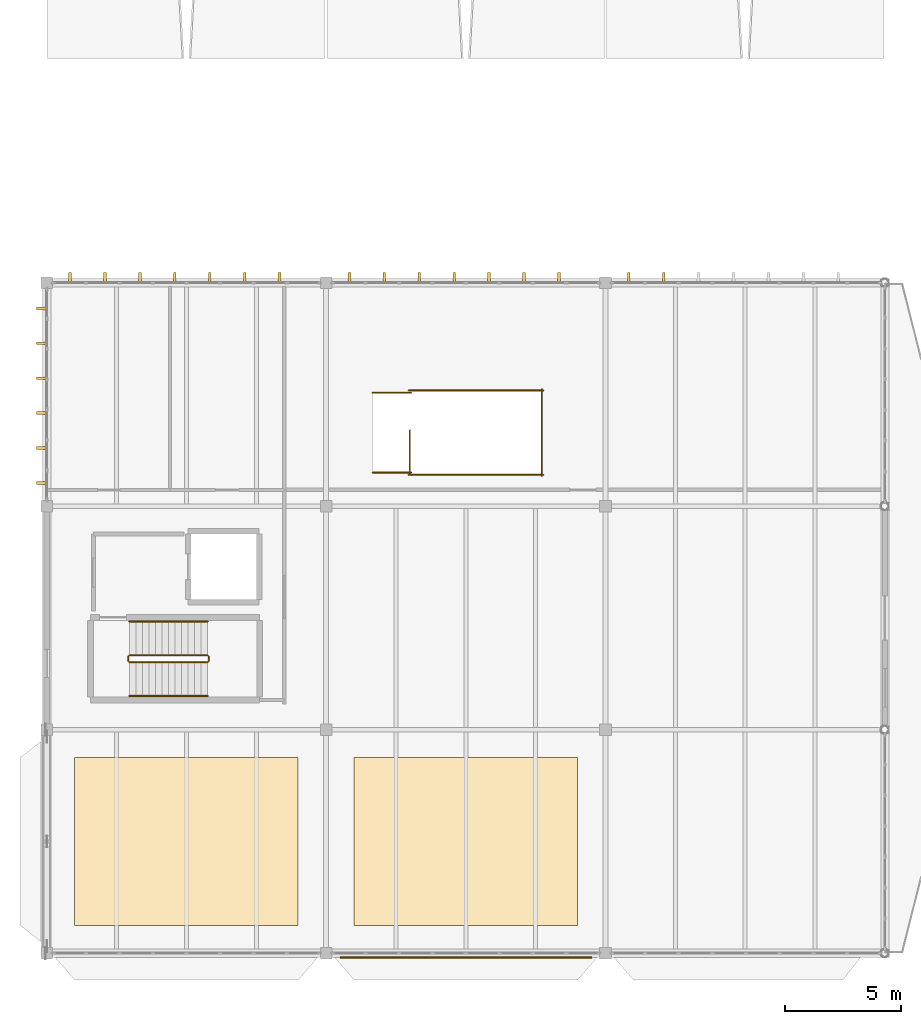
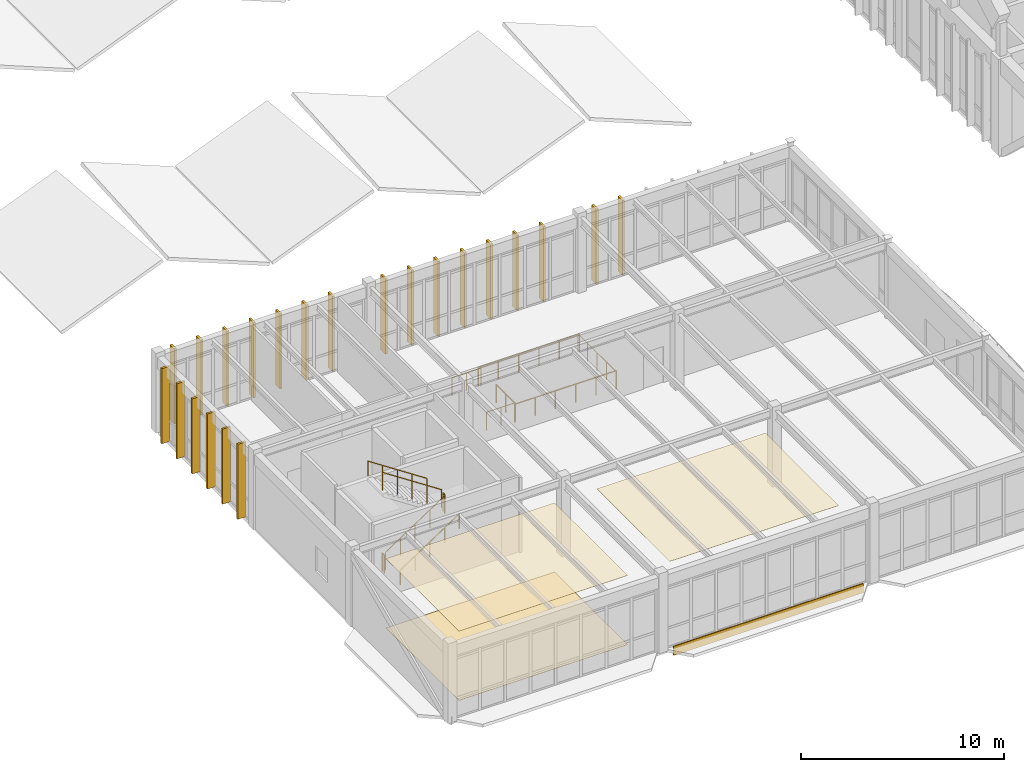
# One storey, part 225 of 236: 22 shading devices, 12 railings, 4 coverings.
"""IFC4 building model written with IfcOpenShell, lengths in metres."""

from ifc_helpers import new_model, si_unit, direction, frame, origin, origin_2d, place, context, subcontext, project, spatial, polyline, rectangle, circle, outline, extrude, material, layer, layer_set, type_object, element, save


model = new_model("IFC4")

# Units and contexts
model_context = context("Model", 3, precision=1e-05, world=origin(), true_north=direction((0.0, 1.0)))
body_context = subcontext(model_context, "Body", "Model", "MODEL_VIEW")
ifc_project = project(units=[si_unit("LENGTHUNIT", "METRE"), si_unit("AREAUNIT", "SQUARE_METRE"), si_unit("VOLUMEUNIT", "CUBIC_METRE"), si_unit("PLANEANGLEUNIT", "RADIAN"), si_unit("MASSUNIT", "GRAM", prefix="KILO")], contexts=[model_context])

# Site, building, storey
site_placement = place(None, origin())
site = spatial("IfcSite", under=ifc_project, at=site_placement, CompositionType="ELEMENT")
building_placement = place(site_placement, origin())
building = spatial("IfcBuilding", under=site, at=building_placement, Name="Pandanus Reach Market Hall", CompositionType="ELEMENT")
storey_placement = place(building_placement, frame((0.0, 0.0, 5.39990234375)))
storey = spatial("IfcBuildingStorey", under=building, at=storey_placement, Name="L01", CompositionType="ELEMENT", Elevation=5.39990234375)

# Coverings
ifc_material_1 = material(Name="Precast concrete S50 (50 MPa)", Category="concrete")
ifc_layer_1 = layer(ifc_material_1, 0.06005859375, Name="CLD-S50-60")
ifc_layer_set_1 = layer_set([ifc_layer_1], Name="Precast concrete S50 (50 MPa)")
covering_type_1 = type_object("IfcCoveringType", Name="CLD-S50-60", PredefinedType="CLADDING", material=ifc_layer_set_1)
covering_1_placement = place(storey_placement, frame((18.0, -0.179931640625, -0.4248046875), z_axis=(0.0, 0.0, 1.0), x_axis=(1.0, 0.0, 0.0)))
element("IfcCovering", 1, at=covering_1_placement, inside=storey, type_object=covering_type_1, Name="Precast spandrel cladding panel 7", PredefinedType="CLADDING", context=body_context, shape_type="SweptSolid", body=[
    extrude(rectangle(XDim=10.800048828125, YDim=0.06005859375, at=origin_2d()), origin(), (0.0, 0.0, 1.0), 0.550048828125),
])
ifc_material_2 = material(Name="Perforated acoustic gypsum board", Category="gypsum")
ifc_layer_2 = layer(ifc_material_2, 0.02001953125, Name="CLG-ACT-20")
ifc_layer_set_2 = layer_set([ifc_layer_2], Name="Perforated acoustic gypsum board")
covering_type_2 = type_object("IfcCoveringType", Name="CLG-ACT-20", PredefinedType="CEILING", material=ifc_layer_set_2)
covering_2_placement = place(storey_placement, frame((0.0, 0.0, 4.15966796875)))
element("IfcCovering", 2, at=covering_2_placement, inside=storey, type_object=covering_type_2, Name="Perforated acoustic ceiling L01.3", PredefinedType="CEILING", context=body_context, shape_type="SweptSolid", body=[
    extrude(outline(polyline([(1.199951171875, 1.199951171875), (10.800048828125, 1.199951171875), (10.800048828125, 8.39990234375), (1.199951171875, 8.39990234375), (1.199951171875, 1.199951171875)])), origin(), (0.0, 0.0, 1.0), 0.02001953125),
])
covering_3_placement = place(storey_placement, frame((0.0, 0.0, 4.15966796875)))
element("IfcCovering", 3, at=covering_3_placement, inside=storey, type_object=covering_type_2, Name="Perforated acoustic ceiling L01.4", PredefinedType="CEILING", context=body_context, shape_type="SweptSolid", body=[
    extrude(outline(polyline([(13.199951171875, 1.199951171875), (22.800048828125, 1.199951171875), (22.800048828125, 8.39990234375), (13.199951171875, 8.39990234375), (13.199951171875, 1.199951171875)])), origin(), (0.0, 0.0, 1.0), 0.02001953125),
])
ifc_material_3 = material(Name="Washable coved epoxy terrazzo flooring")
ifc_layer_3 = layer(ifc_material_3, 0.014892578125, Name="FLR-EPX-15")
ifc_layer_set_3 = layer_set([ifc_layer_3], Name="Washable coved epoxy terrazzo flooring")
covering_type_3 = type_object("IfcCoveringType", Name="FLR-EPX-15", PredefinedType="FLOORING", material=ifc_layer_set_3)
covering_4_placement = place(storey_placement, origin())
element("IfcCovering", 4, at=covering_4_placement, inside=storey, type_object=covering_type_3, Name="Washable epoxy terrazzo flooring L01.5", PredefinedType="FLOORING", context=body_context, shape_type="SweptSolid", body=[
    extrude(outline(polyline([(1.199951171875, 1.199951171875), (10.800048828125, 1.199951171875), (10.800048828125, 8.39990234375), (1.199951171875, 8.39990234375), (1.199951171875, 1.199951171875)])), origin(), (0.0, 0.0, 1.0), 0.01513671875),
])

# Shading devices
shading_device_type = type_object("IfcShadingDeviceType", Name="FN-S50-450", PredefinedType="JALOUSIE", material=ifc_material_1)
for number, where, z_axis, x_axis, name in (
    (5, (1.0, 29.02001953125, -0.010009765625), (0.0, 0.0, 1.0), (0.0, 1.0, 0.0), "Precast brise-soleil fin 214"),
    (6, (2.5, 29.02001953125, -0.010009765625), (0.0, 0.0, 1.0), (0.0, 1.0, 0.0), "Precast brise-soleil fin 215"),
    (7, (4.0, 29.02001953125, -0.010009765625), (0.0, 0.0, 1.0), (0.0, 1.0, 0.0), "Precast brise-soleil fin 216"),
    (8, (5.5, 29.02001953125, -0.010009765625), (0.0, 0.0, 1.0), (0.0, 1.0, 0.0), "Precast brise-soleil fin 217"),
    (9, (7.0, 29.02001953125, -0.010009765625), (0.0, 0.0, 1.0), (0.0, 1.0, 0.0), "Precast brise-soleil fin 218"),
    (10, (8.5, 29.02001953125, -0.010009765625), (0.0, 0.0, 1.0), (0.0, 1.0, 0.0), "Precast brise-soleil fin 219"),
    (11, (10.0, 29.02001953125, -0.010009765625), (0.0, 0.0, 1.0), (0.0, 1.0, 0.0), "Precast brise-soleil fin 220"),
    (12, (13.0, 29.02001953125, -0.010009765625), (0.0, 0.0, 1.0), (0.0, 1.0, 0.0), "Precast brise-soleil fin 221"),
    (13, (14.5, 29.02001953125, -0.010009765625), (0.0, 0.0, 1.0), (0.0, 1.0, 0.0), "Precast brise-soleil fin 222"),
    (14, (16.0, 29.02001953125, -0.010009765625), (0.0, 0.0, 1.0), (0.0, 1.0, 0.0), "Precast brise-soleil fin 223"),
    (15, (17.5, 29.02001953125, -0.010009765625), (0.0, 0.0, 1.0), (0.0, 1.0, 0.0), "Precast brise-soleil fin 224"),
    (16, (19.0, 29.02001953125, -0.010009765625), (0.0, 0.0, 1.0), (0.0, 1.0, 0.0), "Precast brise-soleil fin 225"),
    (17, (20.5, 29.02001953125, -0.010009765625), (0.0, 0.0, 1.0), (0.0, 1.0, 0.0), "Precast brise-soleil fin 226"),
    (18, (22.0, 29.02001953125, -0.010009765625), (0.0, 0.0, 1.0), (0.0, 1.0, 0.0), "Precast brise-soleil fin 227"),
    (19, (25.0, 29.02001953125, -0.010009765625), (0.0, 0.0, 1.0), (0.0, 1.0, 0.0), "Precast brise-soleil fin 228"),
    (20, (26.5, 29.02001953125, -0.010009765625), (0.0, 0.0, 1.0), (0.0, 1.0, 0.0), "Precast brise-soleil fin 229"),
    (21, (-0.219970703125, 20.199951171875, -0.010009765625), (0.0, 0.0, 1.0), (-1.0, 0.0, 0.0), "Precast brise-soleil fin 235"),
    (22, (-0.219970703125, 21.699951171875, -0.010009765625), (0.0, 0.0, 1.0), (-1.0, 0.0, 0.0), "Precast brise-soleil fin 236"),
    (23, (-0.219970703125, 23.199951171875, -0.010009765625), (0.0, 0.0, 1.0), (-1.0, 0.0, 0.0), "Precast brise-soleil fin 237"),
    (24, (-0.219970703125, 24.699951171875, -0.010009765625), (0.0, 0.0, 1.0), (-1.0, 0.0, 0.0), "Precast brise-soleil fin 238"),
    (25, (-0.219970703125, 26.199951171875, -0.010009765625), (0.0, 0.0, 1.0), (-1.0, 0.0, 0.0), "Precast brise-soleil fin 239"),
    (26, (-0.219970703125, 27.699951171875, -0.010009765625), (0.0, 0.0, 1.0), (-1.0, 0.0, 0.0), "Precast brise-soleil fin 240"),
):
    element("IfcShadingDevice", number, at=place(storey_placement, frame(where, z_axis=z_axis, x_axis=x_axis)), inside=storey, type_object=shading_device_type, Name=name, PredefinedType="JALOUSIE", context=body_context, shape_type="SweptSolid", body=[
        extrude(rectangle(XDim=0.449951171875, YDim=0.1201171875, at=origin_2d()), origin(), (0.0, 0.0, 1.0), 4.52001953125),
    ])

# Railings
ifc_material_4 = material(Name="Galvanised steel Grade 350 (350 MPa)", Category="steel")
railing_type_1 = type_object("IfcRailingType", Name="GR-INT-110", PredefinedType="GUARDRAIL", material=ifc_material_4)
railing_1_placement = place(storey_placement, frame((3.550048828125, 12.5, 0.184814453125)))
element("IfcRailing", 27, at=railing_1_placement, inside=storey, type_object=railing_type_1, Name="Stair guard ST-04 L01.100", PredefinedType="GUARDRAIL", context=body_context, shape_type="SweptSolid", body=[
    extrude(circle(Radius=0.02392578125, at=origin_2d()), frame((0.0, 0.0, 1.076171875), z_axis=(0.834858096282, 0.0, 0.550465220583), x_axis=(0.0, 1.0, 0.0)), (0.0, 0.0, 1.0), 4.0244140625),
    extrude(circle(Radius=0.02099609375, at=origin_2d()), origin(), (0.0, 0.0, 1.0), 1.052001953125),
    extrude(circle(Radius=0.02099609375, at=origin_2d()), frame((0.83984375, 0.0, 0.5537109375)), (0.0, 0.0, 1.0), 1.052001953125),
    extrude(circle(Radius=0.02099609375, at=origin_2d()), frame((1.679931640625, 0.0, 1.107666015625)), (0.0, 0.0, 1.0), 1.052001953125),
    extrude(circle(Radius=0.02099609375, at=origin_2d()), frame((2.52001953125, 0.0, 1.66162109375)), (0.0, 0.0, 1.0), 1.052001953125),
    extrude(circle(Radius=0.02099609375, at=origin_2d()), frame((3.35986328125, 0.0, 2.21533203125)), (0.0, 0.0, 1.0), 1.052001953125),
])
railing_2_placement = place(storey_placement, frame((6.9599609375, 12.550048828125, 2.400146484375)))
element("IfcRailing", 28, at=railing_2_placement, inside=storey, type_object=railing_type_1, Name="Stair guard ST-04 L01.101", PredefinedType="GUARDRAIL", context=body_context, shape_type="SweptSolid", body=[
    extrude(circle(Radius=0.02392578125, at=origin_2d()), frame((0.0, 0.0, 1.076171875), z_axis=(0.0, 1.0, 0.0), x_axis=(-1.0, 0.0, 0.0)), (0.0, 0.0, 1.0), 0.199951171875),
    extrude(circle(Radius=0.02099609375, at=origin_2d()), origin(), (0.0, 0.0, 1.0), 1.052001953125),
    extrude(circle(Radius=0.02099609375, at=origin_2d()), frame((0.0, 0.199951171875, 0.0)), (0.0, 0.0, 1.0), 1.052001953125),
])
railing_3_placement = place(storey_placement, frame((6.909912109375, 12.800048828125, 2.584716796875)))
element("IfcRailing", 29, at=railing_3_placement, inside=storey, type_object=railing_type_1, Name="Stair guard ST-04 L01.102", PredefinedType="GUARDRAIL", context=body_context, shape_type="SweptSolid", body=[
    extrude(circle(Radius=0.02392578125, at=origin_2d()), frame((0.0, 0.0, 1.076171875), z_axis=(-0.834858096282, 0.0, 0.550465220583), x_axis=(0.0, -1.0, 0.0)), (0.0, 0.0, 1.0), 4.0244140625),
    extrude(circle(Radius=0.02099609375, at=origin_2d()), origin(), (0.0, 0.0, 1.0), 1.052001953125),
    extrude(circle(Radius=0.02099609375, at=origin_2d()), frame((-0.83984375, 0.0, 0.5537109375)), (0.0, 0.0, 1.0), 1.052001953125),
    extrude(circle(Radius=0.02099609375, at=origin_2d()), frame((-1.679931640625, 0.0, 1.107666015625)), (0.0, 0.0, 1.0), 1.052001953125),
    extrude(circle(Radius=0.02099609375, at=origin_2d()), frame((-2.52001953125, 0.0, 1.66162109375)), (0.0, 0.0, 1.0), 1.052001953125),
    extrude(circle(Radius=0.02099609375, at=origin_2d()), frame((-3.35986328125, 0.0, 2.21533203125)), (0.0, 0.0, 1.0), 1.052001953125),
])
railing_4_placement = place(storey_placement, frame((3.5, 12.550048828125, 0.0)))
element("IfcRailing", 30, at=railing_4_placement, inside=storey, type_object=railing_type_1, Name="Stair guard ST-04 L01.103", PredefinedType="GUARDRAIL", context=body_context, shape_type="SweptSolid", body=[
    extrude(circle(Radius=0.02392578125, at=origin_2d()), frame((0.0, 0.0, 1.076171875), z_axis=(0.0, 1.0, 0.0), x_axis=(-1.0, 0.0, 0.0)), (0.0, 0.0, 1.0), 0.199951171875),
    extrude(circle(Radius=0.02099609375, at=origin_2d()), origin(), (0.0, 0.0, 1.0), 1.052001953125),
    extrude(circle(Radius=0.02099609375, at=origin_2d()), frame((0.0, 0.199951171875, 0.0)), (0.0, 0.0, 1.0), 1.052001953125),
])
railing_5_placement = place(storey_placement, frame((15.60009765625, 20.60009765625, 0.0)))
element("IfcRailing", 31, at=railing_5_placement, inside=storey, type_object=railing_type_1, Name="Stair well top guard ST-10.175", PredefinedType="GUARDRAIL", context=body_context, shape_type="SweptSolid", body=[
    extrude(circle(Radius=0.02392578125, at=origin_2d()), frame((0.0, 0.0, 1.076171875), z_axis=(0.0, 1.0, 0.0), x_axis=(-1.0, 0.0, 0.0)), (0.0, 0.0, 1.0), 1.869873046875),
    extrude(circle(Radius=0.02099609375, at=origin_2d()), origin(), (0.0, 0.0, 1.0), 1.052001953125),
    extrude(circle(Radius=0.02099609375, at=origin_2d()), frame((0.0, 0.93505859375, 0.0)), (0.0, 0.0, 1.0), 1.052001953125),
    extrude(circle(Radius=0.02099609375, at=origin_2d()), frame((0.0, 1.869873046875, 0.0)), (0.0, 0.0, 1.0), 1.052001953125),
])
for number, where, name in (
    (32, (15.550048828125, 20.550048828125, 0.0), "Stair well top guard ST-10.176"),
    (33, (15.550048828125, 24.169921875, 0.0), "Stair well top guard ST-10.177"),
):
    element("IfcRailing", number, at=place(storey_placement, frame(where)), inside=storey, type_object=railing_type_1, Name=name, PredefinedType="GUARDRAIL", context=body_context, shape_type="SweptSolid", body=[
        extrude(circle(Radius=0.02392578125, at=origin_2d()), frame((0.0, 0.0, 1.076171875), z_axis=(1.0, 0.0, 0.0), x_axis=(0.0, 1.0, 0.0)), (0.0, 0.0, 1.0), 5.77001953125),
        extrude(circle(Radius=0.02099609375, at=origin_2d()), origin(), (0.0, 0.0, 1.0), 1.052001953125),
        extrude(circle(Radius=0.02099609375, at=origin_2d()), frame((1.154052734375, 0.0, 0.0)), (0.0, 0.0, 1.0), 1.052001953125),
        extrude(circle(Radius=0.02099609375, at=origin_2d()), frame((2.30810546875, 0.0, 0.0)), (0.0, 0.0, 1.0), 1.052001953125),
        extrude(circle(Radius=0.02099609375, at=origin_2d()), frame((3.4619140625, 0.0, 0.0)), (0.0, 0.0, 1.0), 1.052001953125),
        extrude(circle(Radius=0.02099609375, at=origin_2d()), frame((4.615966796875, 0.0, 0.0)), (0.0, 0.0, 1.0), 1.052001953125),
        extrude(circle(Radius=0.02099609375, at=origin_2d()), frame((5.77001953125, 0.0, 0.0)), (0.0, 0.0, 1.0), 1.052001953125),
    ])
railing_6_placement = place(storey_placement, frame((21.27001953125, 20.5, 0.0)))
element("IfcRailing", 34, at=railing_6_placement, inside=storey, type_object=railing_type_1, Name="Stair well top guard ST-10.178", PredefinedType="GUARDRAIL", context=body_context, shape_type="SweptSolid", body=[
    extrude(circle(Radius=0.02392578125, at=origin_2d()), frame((0.0, 0.0, 1.076171875), z_axis=(0.0, 1.0, 0.0), x_axis=(-1.0, 0.0, 0.0)), (0.0, 0.0, 1.0), 3.719970703125),
    extrude(circle(Radius=0.02099609375, at=origin_2d()), origin(), (0.0, 0.0, 1.0), 1.052001953125),
    extrude(circle(Radius=0.02099609375, at=origin_2d()), frame((0.0, 0.929931640625, 0.0)), (0.0, 0.0, 1.0), 1.052001953125),
    extrude(circle(Radius=0.02099609375, at=origin_2d()), frame((0.0, 1.85986328125, 0.0)), (0.0, 0.0, 1.0), 1.052001953125),
    extrude(circle(Radius=0.02099609375, at=origin_2d()), frame((0.0, 2.7900390625, 0.0)), (0.0, 0.0, 1.0), 1.052001953125),
    extrude(circle(Radius=0.02099609375, at=origin_2d()), frame((0.0, 3.719970703125, 0.0)), (0.0, 0.0, 1.0), 1.052001953125),
])
for number, where, name in (
    (35, (14.0, 20.64990234375, 0.0), "Stair well top guard ST-10.179"),
    (36, (14.0, 24.070068359375, 0.0), "Stair well top guard ST-10.180"),
):
    element("IfcRailing", number, at=place(storey_placement, frame(where)), inside=storey, type_object=railing_type_1, Name=name, PredefinedType="GUARDRAIL", context=body_context, shape_type="SweptSolid", body=[
        extrude(circle(Radius=0.02392578125, at=origin_2d()), frame((0.0, 0.0, 1.076171875), z_axis=(1.0, 0.0, 0.0), x_axis=(0.0, 1.0, 0.0)), (0.0, 0.0, 1.0), 1.64990234375),
        extrude(circle(Radius=0.02099609375, at=origin_2d()), origin(), (0.0, 0.0, 1.0), 1.052001953125),
        extrude(circle(Radius=0.02099609375, at=origin_2d()), frame((0.824951171875, 0.0, 0.0)), (0.0, 0.0, 1.0), 1.052001953125),
        extrude(circle(Radius=0.02099609375, at=origin_2d()), frame((1.64990234375, 0.0, 0.0)), (0.0, 0.0, 1.0), 1.052001953125),
    ])
ifc_material_5 = material(Name="Brushed stainless steel", Category="steel")
railing_type_2 = type_object("IfcRailingType", Name="HR-WAL-090", PredefinedType="HANDRAIL", material=ifc_material_5)
railing_7_placement = place(storey_placement, frame((3.550048828125, 11.050048828125, 0.184814453125)))
element("IfcRailing", 37, at=railing_7_placement, inside=storey, type_object=railing_type_2, Name="Stair handrail ST-04 L01.104", PredefinedType="HANDRAIL", context=body_context, shape_type="SweptSolid", body=[
    extrude(circle(Radius=0.02392578125, at=origin_2d()), frame((0.0, 0.0, 0.8759765625), z_axis=(0.834858096282, 0.0, 0.550465220583), x_axis=(0.0, 1.0, 0.0)), (0.0, 0.0, 1.0), 4.0244140625),
    extrude(circle(Radius=0.02099609375, at=origin_2d()), origin(), (0.0, 0.0, 1.0), 0.851806640625),
    extrude(circle(Radius=0.02099609375, at=origin_2d()), frame((0.83984375, 0.0, 0.5537109375)), (0.0, 0.0, 1.0), 0.851806640625),
    extrude(circle(Radius=0.02099609375, at=origin_2d()), frame((1.679931640625, 0.0, 1.107666015625)), (0.0, 0.0, 1.0), 0.851806640625),
    extrude(circle(Radius=0.02099609375, at=origin_2d()), frame((2.52001953125, 0.0, 1.66162109375)), (0.0, 0.0, 1.0), 0.851806640625),
    extrude(circle(Radius=0.02099609375, at=origin_2d()), frame((3.35986328125, 0.0, 2.21533203125)), (0.0, 0.0, 1.0), 0.851806640625),
])
railing_8_placement = place(storey_placement, frame((6.909912109375, 14.25, 2.584716796875)))
element("IfcRailing", 38, at=railing_8_placement, inside=storey, type_object=railing_type_2, Name="Stair handrail ST-04 L01.105", PredefinedType="HANDRAIL", context=body_context, shape_type="SweptSolid", body=[
    extrude(circle(Radius=0.02392578125, at=origin_2d()), frame((0.0, 0.0, 0.8759765625), z_axis=(-0.834858096282, 0.0, 0.550465220583), x_axis=(0.0, -1.0, 0.0)), (0.0, 0.0, 1.0), 4.0244140625),
    extrude(circle(Radius=0.02099609375, at=origin_2d()), origin(), (0.0, 0.0, 1.0), 0.851806640625),
    extrude(circle(Radius=0.02099609375, at=origin_2d()), frame((-0.83984375, 0.0, 0.5537109375)), (0.0, 0.0, 1.0), 0.851806640625),
    extrude(circle(Radius=0.02099609375, at=origin_2d()), frame((-1.679931640625, 0.0, 1.107666015625)), (0.0, 0.0, 1.0), 0.851806640625),
    extrude(circle(Radius=0.02099609375, at=origin_2d()), frame((-2.52001953125, 0.0, 1.66162109375)), (0.0, 0.0, 1.0), 0.851806640625),
    extrude(circle(Radius=0.02099609375, at=origin_2d()), frame((-3.35986328125, 0.0, 2.21533203125)), (0.0, 0.0, 1.0), 0.851806640625),
])

save(model, "model.ifc")
